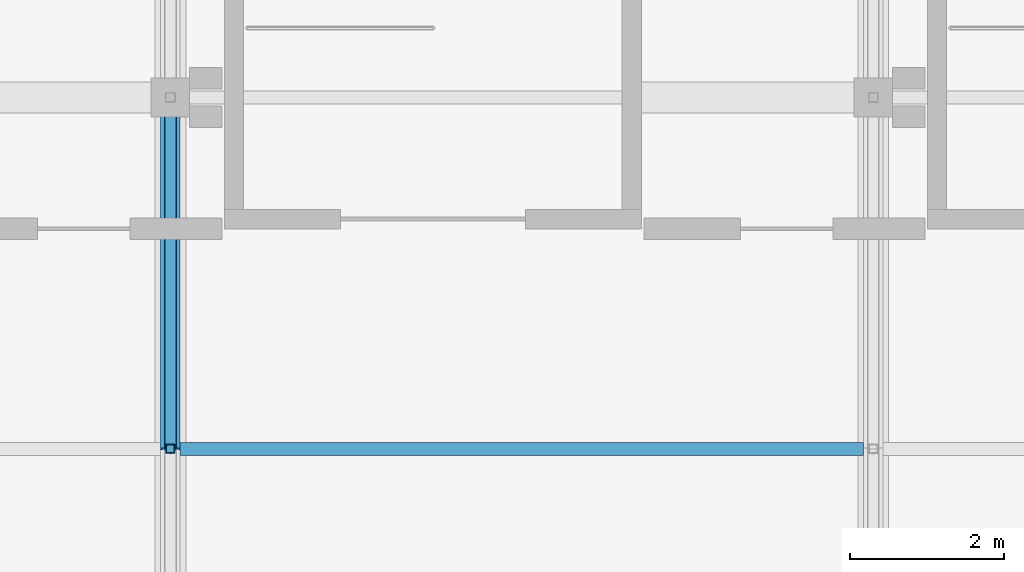
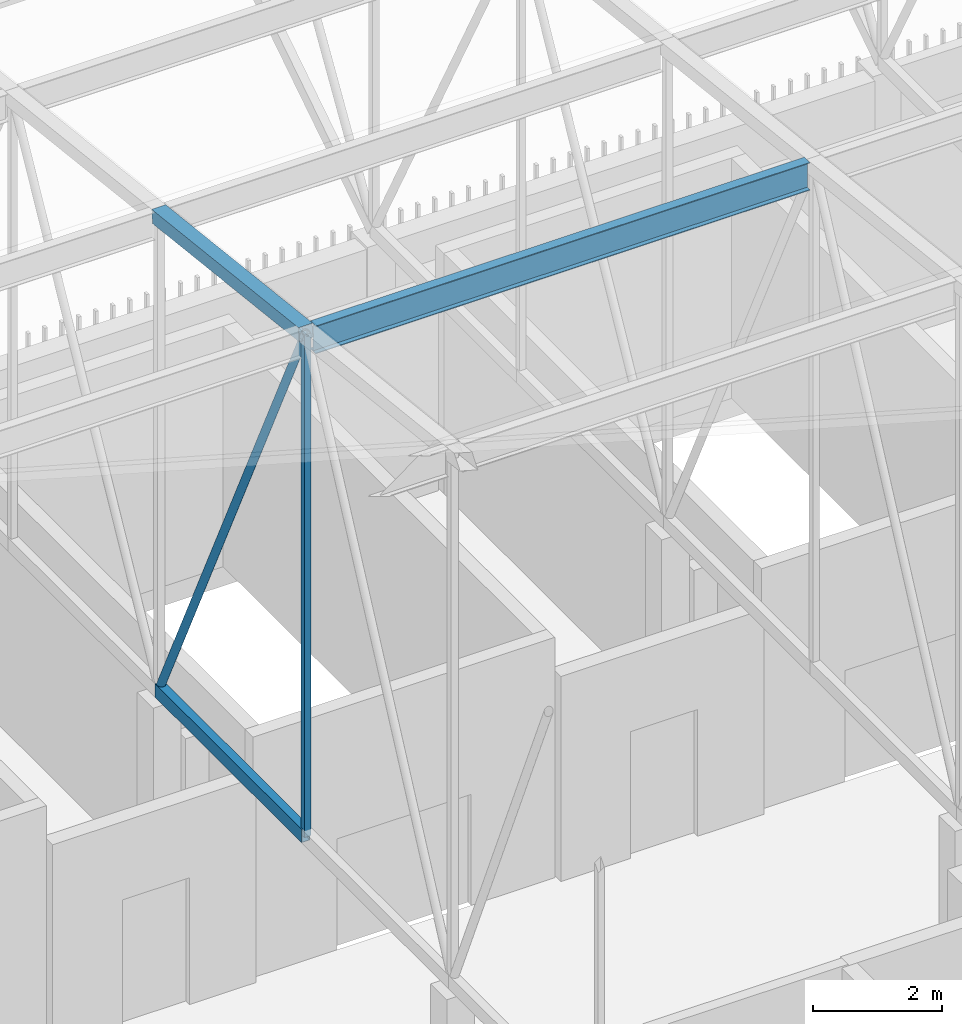
# One storey, part 225 of 500: 5 members.
"""IFC4 building model written with IfcOpenShell, lengths in metres."""

import ifcopenshell
import ifcopenshell.guid

model = None  # the IFC model being written
_history = None  # IfcOwnerHistory: only IFC2X3 demands one
_inside = {}  # id of a spatial element -> (the spatial element, [elements in it])
_under = {}  # id of a project, library or spatial element -> (it, [spatial elements below it])
_declared = {}  # id of a project -> (the project, [libraries it declares])
_typed = {}  # id of a type object -> (the type object, [elements of that type])
_made_of = {}  # id of a material, layer set ... -> (it, [elements and type objects made of it])


def new_model(schema):
    """Start an empty IFC model of exactly this schema.

    Asked for "IFC4X3", IfcOpenShell would pick the latest addendum, in which some entities
    have other attributes; the version numbers below select the first issue.
    IFC2X3 requires an IfcOwnerHistory on every rooted entity: one is made here for all.
    """
    global model, _history
    if schema == "IFC4X3":
        model = ifcopenshell.file(schema_version=(4, 3, 0, 0))
    else:
        model = ifcopenshell.file(schema=schema)
    _inside.clear()
    _under.clear()
    _declared.clear()
    _typed.clear()
    _made_of.clear()
    _history = None
    if model.schema == "IFC2X3":
        org = make("IfcOrganization", Name="unknown")
        user = make(
            "IfcPersonAndOrganization",
            ThePerson=make("IfcPerson", FamilyName="unknown"),
            TheOrganization=org,
        )
        app = make(
            "IfcApplication",
            ApplicationDeveloper=org,
            Version="unknown",
            ApplicationFullName="unknown",
            ApplicationIdentifier="unknown",
        )
        _history = make(
            "IfcOwnerHistory",
            OwningUser=user,
            OwningApplication=app,
            ChangeAction="ADDED",
            CreationDate=0,
        )
    return model


def make(cls, **values):
    """One entity of the class cls with the attributes given. An attribute that is None is left unset."""
    return model.create_entity(
        cls, **{name: value for name, value in values.items() if value is not None}
    )


def rooted(cls, **values):
    """An entity with a GlobalId (a new one), such as an element, a storey or a relation."""
    return make(cls, GlobalId=ifcopenshell.guid.new(), OwnerHistory=_history, **values)


def si_unit(unit_type, name, prefix=None):
    """IfcSIUnit, for example si_unit("LENGTHUNIT", "METRE", prefix="MILLI")."""
    return make("IfcSIUnit", UnitType=unit_type, Prefix=prefix, Name=name)


def assignment(units):
    """IfcUnitAssignment: the units of a project."""
    return None if units is None else make("IfcUnitAssignment", Units=units)


def point(xyz):
    """IfcCartesianPoint."""
    return None if xyz is None else make("IfcCartesianPoint", Coordinates=xyz)


def direction(xyz):
    """IfcDirection."""
    return None if xyz is None else make("IfcDirection", DirectionRatios=xyz)


def frame(location, z_axis=None, x_axis=None):
    """IfcAxis2Placement3D, a coordinate frame: its origin and axes. An axis left out is left unset."""
    return make(
        "IfcAxis2Placement3D",
        Location=point(location),
        Axis=direction(z_axis),
        RefDirection=direction(x_axis),
    )


def frame_2d(location, x_axis=None):
    """IfcAxis2Placement2D, a coordinate frame in the plane: its origin and x axis."""
    return make(
        "IfcAxis2Placement2D", Location=point(location), RefDirection=direction(x_axis)
    )


def origin():
    """The frame at (0, 0, 0) with its axes left unset."""
    return frame((0.0, 0.0, 0.0))


def origin_2d():
    """The frame at (0, 0) in the plane with its x axis left unset."""
    return frame_2d((0.0, 0.0))


def place(relative_to, where):
    """IfcLocalPlacement: puts the frame where relative to a parent placement (None: the world)."""
    return make(
        "IfcLocalPlacement", PlacementRelTo=relative_to, RelativePlacement=where
    )


def context(
    kind, dimensions, precision=None, world=None, true_north=None, identifier=None
):
    """IfcGeometricRepresentationContext, for example the 3D "Model" context."""
    return make(
        "IfcGeometricRepresentationContext",
        ContextIdentifier=identifier,
        ContextType=kind,
        CoordinateSpaceDimension=dimensions,
        Precision=precision,
        WorldCoordinateSystem=world,
        TrueNorth=true_north,
    )


def subcontext(parent, identifier, kind, view, scale=None):
    """IfcGeometricRepresentationSubContext, for example "Body" below "Model"."""
    return make(
        "IfcGeometricRepresentationSubContext",
        ContextIdentifier=identifier,
        ContextType=kind,
        ParentContext=parent,
        TargetScale=scale,
        TargetView=view,
    )


def project(units=None, contexts=None):
    """IfcProject with its units and contexts."""
    return rooted(
        "IfcProject",
        Name="project",
        RepresentationContexts=contexts,
        UnitsInContext=assignment(units),
    )


def spatial(cls, under=None, at=None, **own):
    """A site, building, storey or space (cls), placed at a placement, below another one or the project."""
    s = rooted(cls, ObjectPlacement=at, **own)
    if under is not None:
        _under.setdefault(under.id(), (under, []))[1].append(s)
    return s


def profile(cls, at=None, kind="AREA", **sizes):
    """A parametric profile (cls). Its sizes go by their IFC names, for example OverallWidth=200.0."""
    return make(cls, ProfileType=kind, Position=at, **sizes)


def hollow_rectangle(**sizes):
    """IfcRectangleHollowProfileDef."""
    return profile("IfcRectangleHollowProfileDef", **sizes)


def hollow_circle(**sizes):
    """IfcCircleHollowProfileDef."""
    return profile("IfcCircleHollowProfileDef", **sizes)


def i_section(**sizes):
    """IfcIShapeProfileDef."""
    return profile("IfcIShapeProfileDef", **sizes)


def extrude(swept, where, along, depth):
    """IfcExtrudedAreaSolid: the profile swept, set in the frame where, extruded along a direction by depth."""
    return make(
        "IfcExtrudedAreaSolid",
        SweptArea=swept,
        Position=where,
        ExtrudedDirection=direction(along),
        Depth=depth,
    )


def shape(context_of_items, identifier, shape_type, items):
    """IfcShapeRepresentation: the items that make up one representation, for example the "Body"."""
    return make(
        "IfcShapeRepresentation",
        ContextOfItems=context_of_items,
        RepresentationIdentifier=identifier,
        RepresentationType=shape_type,
        Items=items,
    )


def material(Name=None, Category=None):
    """IfcMaterial."""
    return make("IfcMaterial", Name=Name, Category=Category)


def material_profile(
    of_material, cross_section, Name=None, Category=None, Priority=None
):
    """IfcMaterialProfile: a cross section and its material."""
    return make(
        "IfcMaterialProfile",
        Name=Name,
        Material=of_material,
        Profile=cross_section,
        Priority=Priority,
        Category=Category,
    )


def profile_set(profiles, Name=None, composite=None):
    """IfcMaterialProfileSet."""
    return make(
        "IfcMaterialProfileSet",
        Name=Name,
        MaterialProfiles=profiles,
        CompositeProfile=composite,
    )


def made_of(thing, what):
    """Note that an element or type object is made of a material, layer set ...; save() writes the relation."""
    if what is not None:
        _made_of.setdefault(what.id(), (what, []))[1].append(thing)
    return thing


def type_object(cls, material=None, **own):
    """A type object (cls), such as IfcWallType, which elements share."""
    return made_of(rooted(cls, **own), material)


def element(
    cls,
    number,
    at=None,
    inside=None,
    cuts=None,
    type_object=None,
    material=None,
    context=None,
    identifier="Body",
    shape_type=None,
    held_by="IfcProductDefinitionShape",
    body=None,
    shapes=None,
    **own,
):
    """One element of the class cls, such as IfcWall. Its Tag is "e" and its number.

    at: its placement. inside: the storey or other place that contains it. cuts: it is an
    opening in that element (IfcRelVoidsElement). A single representation is given by context,
    identifier, shape_type and body (its items); several are given by shapes. held_by: the class
    of the entity that holds the representations. save() writes the other relations.
    """
    e = rooted(cls, Tag="e%d" % number, ObjectPlacement=at, **own)
    if body is not None:
        shapes = [shape(context, identifier, shape_type, body)]
    if shapes is not None:
        e.Representation = make(held_by, Representations=shapes)
    if inside is not None:
        _inside.setdefault(inside.id(), (inside, []))[1].append(e)
    if cuts is not None:
        rooted(
            "IfcRelVoidsElement", RelatingBuildingElement=cuts, RelatedOpeningElement=e
        )
    if type_object is not None:
        _typed.setdefault(type_object.id(), (type_object, []))[1].append(e)
    return made_of(e, material)


def aggregate(whole, parts):
    """IfcRelAggregates: a whole, such as a stair, and the parts it consists of."""
    return rooted("IfcRelAggregates", RelatingObject=whole, RelatedObjects=parts)


def save(model, path):
    """Write the relations noted so far, then the file.

    IfcRelAggregates (storeys below a building ...), IfcRelContainedInSpatialStructure (elements
    in a storey), IfcRelDefinesByType, IfcRelAssociatesMaterial and IfcRelDeclares: one each for
    every whole, place, type object, material and project.
    """
    for whole, parts in _under.values():
        aggregate(whole, parts)
    for where, things in _inside.values():
        rooted(
            "IfcRelContainedInSpatialStructure",
            RelatedElements=things,
            RelatingStructure=where,
        )
    for kind, things in _typed.values():
        rooted("IfcRelDefinesByType", RelatedObjects=things, RelatingType=kind)
    for what, things in _made_of.values():
        rooted("IfcRelAssociatesMaterial", RelatedObjects=things, RelatingMaterial=what)
    for by, libraries in _declared.values():
        rooted("IfcRelDeclares", RelatingContext=by, RelatedDefinitions=libraries)
    model.write(path)


model = new_model("IFC4")

# Units and contexts
model_context = context("Model", 3, precision=1e-05, world=origin(), true_north=direction((0.0, 1.0)))
body_context = subcontext(model_context, "Body", "Model", "MODEL_VIEW")
ifc_project = project(units=[si_unit("LENGTHUNIT", "METRE"), si_unit("AREAUNIT", "SQUARE_METRE"), si_unit("VOLUMEUNIT", "CUBIC_METRE"), si_unit("PLANEANGLEUNIT", "RADIAN"), si_unit("MASSUNIT", "GRAM", prefix="KILO")], contexts=[model_context])

# Site, building, storey
site_placement = place(None, origin())
site = spatial("IfcSite", under=ifc_project, at=site_placement, CompositionType="ELEMENT")
building_placement = place(site_placement, origin())
building = spatial("IfcBuilding", under=site, at=building_placement, Name="Shirokan Park Arena", CompositionType="ELEMENT")
storey_placement = place(building_placement, frame((0.0, 0.0, 29.1201171875)))
storey = spatial("IfcBuildingStorey", under=building, at=storey_placement, Name="L06", CompositionType="ELEMENT", Elevation=29.1201171875)

# Members
ifc_material_1 = material(Name="Steel ASTM A500 Grade C", Category="steel")
ifc_material_profile_1 = material_profile(ifc_material_1, hollow_rectangle(XDim=0.152099609375, YDim=0.25390625, WallThickness=0.009521484375, at=origin_2d()), Name="HSS254X152.4X9.5")
ifc_profile_set_1 = profile_set([ifc_material_profile_1], Name="Steel ASTM A500 Grade C")
member_type_1 = type_object("IfcMemberType", Name="Bottom chord HSS254X152.4X9.5", PredefinedType="CHORD", material=ifc_profile_set_1)
member_1_placement = place(storey_placement, frame((18.199951171875, 95.550048828125, 4.677001953125), z_axis=(0.0, 1.0, 0.0), x_axis=(-1.0, 0.0, 0.0)))
element("IfcMember", 1, at=member_1_placement, inside=storey, type_object=member_type_1, Name="Truss T03 bottom chord 24", PredefinedType="CHORD", context=body_context, shape_type="SweptSolid", body=[
    extrude(hollow_rectangle(XDim=0.152099609375, YDim=0.25390625, WallThickness=0.009521484375, at=origin_2d()), origin(), (0.0, 0.0, 1.0), 4.550048828125),
])
ifc_material_2 = material(Name="Steel ASTM A992", Category="steel")
ifc_material_profile_2 = material_profile(ifc_material_2, i_section(OverallWidth=0.166015625, OverallDepth=0.528076171875, WebThickness=0.009765625, FlangeThickness=0.013671875, at=origin_2d()), Name="W530X74")
ifc_profile_set_2 = profile_set([ifc_material_profile_2], Name="Steel ASTM A992")
member_type_2 = type_object("IfcMemberType", Name="Purlin W530X74", PredefinedType="PURLIN", material=ifc_profile_set_2)
member_2_placement = place(storey_placement, frame((18.326904296875, 95.550048828125, 14.0458984375), z_axis=(1.0, 0.0, 0.0), x_axis=(0.0, 1.0, 0.0)))
element("IfcMember", 2, at=member_2_placement, inside=storey, type_object=member_type_2, Name="Purlin 24 bay 3", PredefinedType="PURLIN", context=body_context, shape_type="SweptSolid", body=[
    extrude(i_section(OverallWidth=0.166015625, OverallDepth=0.528076171875, WebThickness=0.009765625, FlangeThickness=0.013671875, at=origin_2d()), origin(), (0.0, 0.0, 1.0), 8.84619140625),
])
ifc_material_profile_3 = material_profile(ifc_material_1, hollow_rectangle(XDim=0.25390625, YDim=0.25390625, WallThickness=0.009521484375, at=origin_2d()), Name="HSS254X254X9.5")
ifc_profile_set_3 = profile_set([ifc_material_profile_3], Name="Steel ASTM A500 Grade C")
member_type_3 = type_object("IfcMemberType", Name="Top chord HSS254X254X9.5", PredefinedType="CHORD", material=ifc_profile_set_3)
member_3_placement = place(storey_placement, frame((18.199951171875, 95.550048828125, 14.182861328125), z_axis=(0.0, 0.993532328996, -0.113549598152), x_axis=(-1.0, 0.0, 0.0)))
element("IfcMember", 3, at=member_3_placement, inside=storey, type_object=member_type_3, Name="Truss T03 top chord 24", PredefinedType="CHORD", context=body_context, shape_type="SweptSolid", body=[
    extrude(hollow_rectangle(XDim=0.25390625, YDim=0.25390625, WallThickness=0.009521484375, at=origin_2d()), origin(), (0.0, 0.0, 1.0), 4.57958984375),
])
ifc_material_profile_4 = material_profile(ifc_material_1, hollow_circle(Radius=0.070556640625, WallThickness=0.006591796875, at=origin_2d()), Name="HSS141.3X6.6")
ifc_profile_set_4 = profile_set([ifc_material_profile_4], Name="Steel ASTM A500 Grade C")
member_type_4 = type_object("IfcMemberType", Name="Truss diagonal HSS141.3X6.6", PredefinedType="BRACE", material=ifc_profile_set_4)
member_4_placement = place(storey_placement, frame((18.199951171875, 95.550048828125, 14.182861328125), z_axis=(0.0, 0.431746476626, -0.901994999942), x_axis=(-1.0, 0.0, 0.0)))
element("IfcMember", 4, at=member_4_placement, inside=storey, type_object=member_type_4, Name="Truss T03 diagonal 24", PredefinedType="BRACE", context=body_context, shape_type="SweptSolid", body=[
    extrude(hollow_circle(Radius=0.070556640625, WallThickness=0.006591796875, at=origin_2d()), origin(), (0.0, 0.0, 1.0), 10.538818359375),
])
ifc_material_profile_5 = material_profile(ifc_material_1, hollow_rectangle(XDim=0.114013671875, YDim=0.114013671875, WallThickness=0.00634765625, at=origin_2d()), Name="HSS114.3X114.3X6.4")
ifc_profile_set_5 = profile_set([ifc_material_profile_5], Name="Steel ASTM A500 Grade C")
member_type_5 = type_object("IfcMemberType", Name="Truss post HSS114.3X114.3X6.4", PredefinedType="POST", material=ifc_profile_set_5)
member_5_placement = place(storey_placement, frame((18.199951171875, 95.550048828125, 4.677001953125), z_axis=(0.0, 0.0, 1.0), x_axis=(1.0, 0.0, 0.0)))
element("IfcMember", 5, at=member_5_placement, inside=storey, type_object=member_type_5, Name="Truss T03 post 24", PredefinedType="POST", context=body_context, shape_type="SweptSolid", body=[
    extrude(hollow_rectangle(XDim=0.114013671875, YDim=0.114013671875, WallThickness=0.00634765625, at=origin_2d()), origin(), (0.0, 0.0, 1.0), 9.505859375),
])

save(model, "model.ifc")
